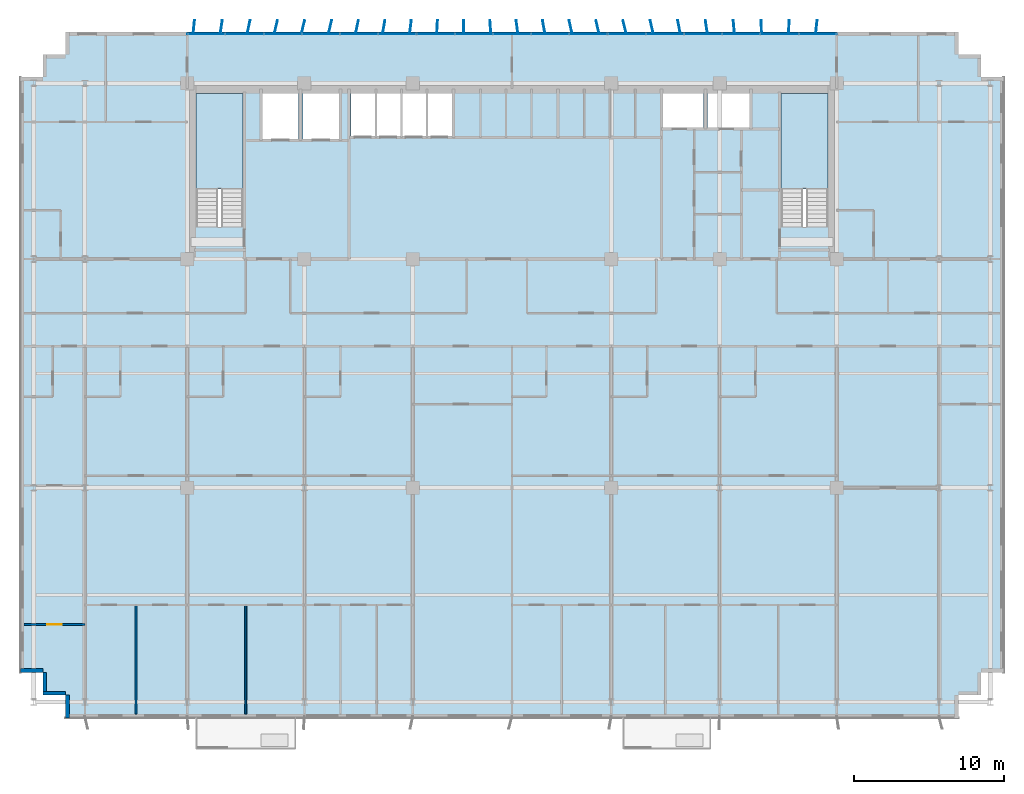
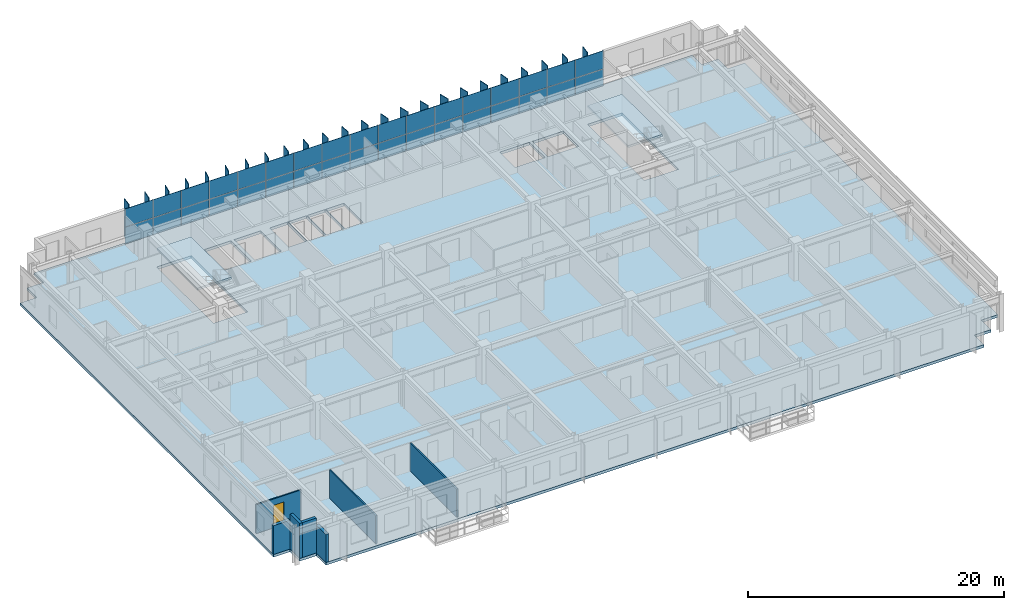
# One storey, part 14 of 24: 58 plates, 7 walls, 3 slabs, 1 door, 1 opening, 3 elements without a shape of their own.
"""IFC4 building model written with IfcOpenShell, lengths in metres."""

from ifc_helpers import new_model, si_unit, direction, frame, frame_2d, origin, origin_2d, place, context, subcontext, project, spatial, polyline, rectangle, outline, extrude, source, transform, mapped, material, layer, layer_set, type_object, element, fill, aggregate, save


model = new_model("IFC4")

# Units and contexts
model_context = context("Model", 3, precision=1e-05, world=origin(), true_north=direction((0.0, 1.0)))
body_context = subcontext(model_context, "Body", "Model", "MODEL_VIEW")
ifc_project = project(units=[si_unit("LENGTHUNIT", "METRE"), si_unit("AREAUNIT", "SQUARE_METRE"), si_unit("VOLUMEUNIT", "CUBIC_METRE"), si_unit("PLANEANGLEUNIT", "RADIAN"), si_unit("MASSUNIT", "GRAM", prefix="KILO")], contexts=[model_context])

# Site, building, storey
site_placement = place(None, origin())
site = spatial("IfcSite", under=ifc_project, at=site_placement, CompositionType="ELEMENT")
building_placement = place(site_placement, origin())
building = spatial("IfcBuilding", under=site, at=building_placement, Name="Trelvane Seafront Commons", CompositionType="ELEMENT")
storey_placement = place(building_placement, frame((0.0, 0.0, 30.699951171875)))
storey = spatial("IfcBuildingStorey", under=building, at=storey_placement, Name="L07", CompositionType="ELEMENT", Elevation=30.699951171875)

# Stair, slab
ifc_material_1 = material(Name="Concrete C40/50", Category="concrete")
stair_type_1 = type_object("IfcStairType", Name="ARCH-STR-ST-1-R20-180", PredefinedType="HALF_TURN_STAIR", material=ifc_material_1)
stair_1_placement = place(storey_placement, origin())
stair_1 = element("IfcStair", 1, at=stair_1_placement, inside=storey, type_object=stair_type_1, Name="L07 West Protected Firefighting Exit Stair ST-1", PredefinedType="HALF_TURN_STAIR")
ifc_layer_1 = layer(ifc_material_1, 0.199951171875, Name="ARCH-LND-200")
ifc_layer_set_1 = layer_set([ifc_layer_1], Name="Concrete C40/50")
slab_type_1 = type_object("IfcSlabType", Name="ARCH-LND-200", PredefinedType="LANDING", material=ifc_layer_set_1)
slab_1_placement = place(storey_placement, frame((0.0, 0.0, 1.60009765625)))
slab_1 = element("IfcSlab", 2, at=slab_1_placement, type_object=slab_type_1, Name="ST-1 landing 1", PredefinedType="LANDING", context=body_context, shape_type="SweptSolid", body=[
    extrude(outline(polyline([(19.300048828125, 38.070068359375), (19.300048828125, 44.39990234375), (16.199951171875, 44.39990234375), (16.199951171875, 38.070068359375), (19.300048828125, 38.070068359375)])), origin(), (0.0, 0.0, 1.0), 0.199951171875),
])
aggregate(stair_1, [slab_1])

stair_type_2 = type_object("IfcStairType", Name="ARCH-STR-ST-2-R20-180", PredefinedType="HALF_TURN_STAIR", material=ifc_material_1)
stair_2_placement = place(storey_placement, origin())
stair_2 = element("IfcStair", 3, at=stair_2_placement, inside=storey, type_object=stair_type_2, Name="L07 East Protected Firefighting Exit Stair ST-2", PredefinedType="HALF_TURN_STAIR")
slab_2_placement = place(storey_placement, frame((0.0, 0.0, 1.60009765625)))
slab_2 = element("IfcSlab", 4, at=slab_2_placement, type_object=slab_type_1, Name="ST-2 landing 1", PredefinedType="LANDING", context=body_context, shape_type="SweptSolid", body=[
    extrude(outline(polyline([(58.199951171875, 38.070068359375), (58.199951171875, 44.39990234375), (55.10009765625, 44.39990234375), (55.10009765625, 38.070068359375), (58.199951171875, 38.070068359375)])), origin(), (0.0, 0.0, 1.0), 0.199951171875),
])
aggregate(stair_2, [slab_2])

# Slab
ifc_material_2 = material(Name="Concrete C50/60", Category="concrete")
ifc_layer_2 = layer(ifc_material_2, 0.260009765625, Name="STR-SLB-Z1-260")
ifc_layer_set_2 = layer_set([ifc_layer_2], Name="Concrete C50/60")
slab_type_2 = type_object("IfcSlabType", Name="STR-SLB-Z1-260", PredefinedType="FLOOR", material=ifc_layer_set_2)
slab_3_placement = place(storey_placement, frame((0.0, 0.0, -0.260009765625)))
element("IfcSlab", 5, at=slab_3_placement, inside=storey, type_object=slab_type_2, Name="L07 Structural Floor Slab", PredefinedType="FLOOR", context=body_context, shape_type="SweptSolid", body=[
    extrude(outline(polyline([(7.5, 2.89990234375), (66.89990234375, 2.89990234375), (66.89990234375, 4.39990234375), (68.39990234375, 4.39990234375), (68.39990234375, 5.89990234375), (69.89990234375, 5.89990234375), (69.89990234375, 45.5), (68.39990234375, 45.5), (68.39990234375, 47.0), (66.89990234375, 47.0), (66.89990234375, 48.5), (7.5, 48.5), (7.5, 47.0), (6.0, 47.0), (6.0, 45.5), (4.5, 45.5), (4.5, 5.89990234375), (6.0, 5.89990234375), (6.0, 4.39990234375), (7.5, 4.39990234375), (7.5, 2.89990234375)]), holes=[polyline([(19.300048828125, 35.550048828125), (16.199951171875, 35.550048828125), (16.199951171875, 44.39990234375), (19.300048828125, 44.39990234375), (19.300048828125, 35.550048828125)]), polyline([(58.199951171875, 35.550048828125), (55.10009765625, 35.550048828125), (55.10009765625, 44.39990234375), (58.199951171875, 44.39990234375), (58.199951171875, 35.550048828125)]), polyline([(23.0, 41.39990234375), (20.60009765625, 41.39990234375), (20.60009765625, 44.60009765625), (23.0, 44.60009765625), (23.0, 41.39990234375)]), polyline([(23.300048828125, 41.39990234375), (23.300048828125, 44.60009765625), (25.699951171875, 44.60009765625), (25.699951171875, 41.39990234375), (23.300048828125, 41.39990234375)]), polyline([(26.5, 41.60009765625), (26.5, 44.60009765625), (28.1201171875, 44.60009765625), (28.1201171875, 41.60009765625), (26.5, 41.60009765625)]), polyline([(29.820068359375, 41.60009765625), (28.199951171875, 41.60009765625), (28.199951171875, 44.60009765625), (29.820068359375, 44.60009765625), (29.820068359375, 41.60009765625)]), polyline([(31.52001953125, 41.60009765625), (29.89990234375, 41.60009765625), (29.89990234375, 44.60009765625), (31.52001953125, 44.60009765625), (31.52001953125, 41.60009765625)]), polyline([(33.219970703125, 41.60009765625), (31.60009765625, 41.60009765625), (31.60009765625, 44.60009765625), (33.219970703125, 44.60009765625), (33.219970703125, 41.60009765625)]), polyline([(47.25, 42.14990234375), (47.25, 44.550048828125), (49.949951171875, 44.550048828125), (49.949951171875, 42.14990234375), (47.25, 42.14990234375)]), polyline([(50.199951171875, 42.14990234375), (50.199951171875, 44.550048828125), (53.0, 44.550048828125), (53.0, 42.14990234375), (50.199951171875, 42.14990234375)])]), origin(), (0.0, 0.0, 1.0), 0.260009765625),
])

# Curtain wall, plates
ifc_material_3 = material(Name="Anodised pale-silver aluminium", Category="aluminium")
curtain_wall_type = type_object("IfcCurtainWallType", Name="ARCH-CW2-LOWTOWER", PredefinedType="NOTDEFINED", material=ifc_material_3)
curtain_wall_placement = place(storey_placement, origin())
curtain_wall = element("IfcCurtainWall", 6, at=curtain_wall_placement, inside=storey, type_object=curtain_wall_type, Name="CW-L07-0031", PredefinedType="NOTDEFINED")
ifc_material_4 = material(Name="Low-E coastal double glazing", Category="glass")
ifc_layer_3 = layer(ifc_material_4, 0.033935546875, Name="ARCH-CW-GLAZ-34")
ifc_layer_set_3 = layer_set([ifc_layer_3], Name="Low-E coastal double glazing")
plate_type_1 = type_object("IfcPlateType", Name="ARCH-CW-GLAZ-34", PredefinedType="CURTAIN_PANEL", material=ifc_layer_set_3)
shared_shape_1 = source(origin(), body_context, "Body", "SweptSolid", [
    extrude(rectangle(XDim=2.51708984375, YDim=0.031982421875, at=origin_2d()), origin(), (0.0, 0.0, 1.0), 1.5849609375),
])
plate_1_placement = place(storey_placement, frame((16.87060546875, 48.3701171875, 0.0), z_axis=(0.0, 0.0, 1.0), x_axis=(1.0, 0.0, 0.0)))
plate_1 = element("IfcPlate", 7, at=plate_1_placement, type_object=plate_type_1, Name="CW-L07-0031-P00-1", PredefinedType="CURTAIN_PANEL", context=body_context, shape_type="MappedRepresentation", body=[
    mapped(shared_shape_1, transform((0.0, 0.0, 0.0), x_axis=(1.0, 0.0, 0.0), y_axis=(0.0, 1.0, 0.0), z_axis=(0.0, 0.0, 1.0), scale=1.0)),
])
plate_2_placement = place(storey_placement, frame((19.411865234375, 48.3701171875, 0.0), z_axis=(0.0, 0.0, 1.0), x_axis=(1.0, 0.0, 0.0)))
plate_2 = element("IfcPlate", 8, at=plate_2_placement, type_object=plate_type_1, Name="CW-L07-0031-P01-1", PredefinedType="CURTAIN_PANEL", context=body_context, shape_type="MappedRepresentation", body=[
    mapped(shared_shape_1, transform((0.0, 0.0, 0.0), x_axis=(1.0, 0.0, 0.0), y_axis=(0.0, 1.0, 0.0), z_axis=(0.0, 0.0, 1.0), scale=1.0)),
])
plate_3_placement = place(storey_placement, frame((21.952880859375, 48.3701171875, 0.0), z_axis=(0.0, 0.0, 1.0), x_axis=(1.0, 0.0, 0.0)))
plate_3 = element("IfcPlate", 9, at=plate_3_placement, type_object=plate_type_1, Name="CW-L07-0031-P02-1", PredefinedType="CURTAIN_PANEL", context=body_context, shape_type="MappedRepresentation", body=[
    mapped(shared_shape_1, transform((0.0, 0.0, 0.0), x_axis=(1.0, 0.0, 0.0), y_axis=(0.0, 1.0, 0.0), z_axis=(0.0, 0.0, 1.0), scale=1.0)),
])
plate_4_placement = place(storey_placement, frame((24.494140625, 48.3701171875, 0.0), z_axis=(0.0, 0.0, 1.0), x_axis=(1.0, 0.0, 0.0)))
plate_4 = element("IfcPlate", 10, at=plate_4_placement, type_object=plate_type_1, Name="CW-L07-0031-P03-1", PredefinedType="CURTAIN_PANEL", context=body_context, shape_type="MappedRepresentation", body=[
    mapped(shared_shape_1, transform((0.0, 0.0, 0.0), x_axis=(1.0, 0.0, 0.0), y_axis=(0.0, 1.0, 0.0), z_axis=(0.0, 0.0, 1.0), scale=1.0)),
])
plate_5_placement = place(storey_placement, frame((27.035400390625, 48.3701171875, 0.0), z_axis=(0.0, 0.0, 1.0), x_axis=(1.0, 0.0, 0.0)))
plate_5 = element("IfcPlate", 11, at=plate_5_placement, type_object=plate_type_1, Name="CW-L07-0031-P04-1", PredefinedType="CURTAIN_PANEL", context=body_context, shape_type="MappedRepresentation", body=[
    mapped(shared_shape_1, transform((0.0, 0.0, 0.0), x_axis=(1.0, 0.0, 0.0), y_axis=(0.0, 1.0, 0.0), z_axis=(0.0, 0.0, 1.0), scale=1.0)),
])
plate_6_placement = place(storey_placement, frame((29.576416015625, 48.3701171875, 0.0), z_axis=(0.0, 0.0, 1.0), x_axis=(1.0, 0.0, 0.0)))
plate_6 = element("IfcPlate", 12, at=plate_6_placement, type_object=plate_type_1, Name="CW-L07-0031-P05-1", PredefinedType="CURTAIN_PANEL", context=body_context, shape_type="MappedRepresentation", body=[
    mapped(shared_shape_1, transform((0.0, 0.0, 0.0), x_axis=(1.0, 0.0, 0.0), y_axis=(0.0, 1.0, 0.0), z_axis=(0.0, 0.0, 1.0), scale=1.0)),
])
plate_7_placement = place(storey_placement, frame((32.11767578125, 48.3701171875, 0.0), z_axis=(0.0, 0.0, 1.0), x_axis=(1.0, 0.0, 0.0)))
plate_7 = element("IfcPlate", 13, at=plate_7_placement, type_object=plate_type_1, Name="CW-L07-0031-P06-1", PredefinedType="CURTAIN_PANEL", context=body_context, shape_type="MappedRepresentation", body=[
    mapped(shared_shape_1, transform((0.0, 0.0, 0.0), x_axis=(1.0, 0.0, 0.0), y_axis=(0.0, 1.0, 0.0), z_axis=(0.0, 0.0, 1.0), scale=1.0)),
])
plate_8_placement = place(storey_placement, frame((34.65869140625, 48.3701171875, 0.0), z_axis=(0.0, 0.0, 1.0), x_axis=(1.0, 0.0, 0.0)))
plate_8 = element("IfcPlate", 14, at=plate_8_placement, type_object=plate_type_1, Name="CW-L07-0031-P07-1", PredefinedType="CURTAIN_PANEL", context=body_context, shape_type="MappedRepresentation", body=[
    mapped(shared_shape_1, transform((0.0, 0.0, 0.0), x_axis=(1.0, 0.0, 0.0), y_axis=(0.0, 1.0, 0.0), z_axis=(0.0, 0.0, 1.0), scale=1.0)),
])
plate_9_placement = place(storey_placement, frame((37.199951171875, 48.3701171875, 0.0), z_axis=(0.0, 0.0, 1.0), x_axis=(1.0, 0.0, 0.0)))
plate_9 = element("IfcPlate", 15, at=plate_9_placement, type_object=plate_type_1, Name="CW-L07-0031-P08-1", PredefinedType="CURTAIN_PANEL", context=body_context, shape_type="MappedRepresentation", body=[
    mapped(shared_shape_1, transform((0.0, 0.0, 0.0), x_axis=(1.0, 0.0, 0.0), y_axis=(0.0, 1.0, 0.0), z_axis=(0.0, 0.0, 1.0), scale=1.0)),
])
plate_10_placement = place(storey_placement, frame((39.7412109375, 48.3701171875, 0.0), z_axis=(0.0, 0.0, 1.0), x_axis=(1.0, 0.0, 0.0)))
plate_10 = element("IfcPlate", 16, at=plate_10_placement, type_object=plate_type_1, Name="CW-L07-0031-P09-1", PredefinedType="CURTAIN_PANEL", context=body_context, shape_type="MappedRepresentation", body=[
    mapped(shared_shape_1, transform((0.0, 0.0, 0.0), x_axis=(1.0, 0.0, 0.0), y_axis=(0.0, 1.0, 0.0), z_axis=(0.0, 0.0, 1.0), scale=1.0)),
])
plate_11_placement = place(storey_placement, frame((42.282470703125, 48.3701171875, 0.0), z_axis=(0.0, 0.0, 1.0), x_axis=(1.0, 0.0, 0.0)))
plate_11 = element("IfcPlate", 17, at=plate_11_placement, type_object=plate_type_1, Name="CW-L07-0031-P10-1", PredefinedType="CURTAIN_PANEL", context=body_context, shape_type="MappedRepresentation", body=[
    mapped(shared_shape_1, transform((0.0, 0.0, 0.0), x_axis=(1.0, 0.0, 0.0), y_axis=(0.0, 1.0, 0.0), z_axis=(0.0, 0.0, 1.0), scale=1.0)),
])
plate_12_placement = place(storey_placement, frame((44.823486328125, 48.3701171875, 0.0), z_axis=(0.0, 0.0, 1.0), x_axis=(1.0, 0.0, 0.0)))
plate_12 = element("IfcPlate", 18, at=plate_12_placement, type_object=plate_type_1, Name="CW-L07-0031-P11-1", PredefinedType="CURTAIN_PANEL", context=body_context, shape_type="MappedRepresentation", body=[
    mapped(shared_shape_1, transform((0.0, 0.0, 0.0), x_axis=(1.0, 0.0, 0.0), y_axis=(0.0, 1.0, 0.0), z_axis=(0.0, 0.0, 1.0), scale=1.0)),
])
plate_13_placement = place(storey_placement, frame((47.36474609375, 48.3701171875, 0.0), z_axis=(0.0, 0.0, 1.0), x_axis=(1.0, 0.0, 0.0)))
plate_13 = element("IfcPlate", 19, at=plate_13_placement, type_object=plate_type_1, Name="CW-L07-0031-P12-1", PredefinedType="CURTAIN_PANEL", context=body_context, shape_type="MappedRepresentation", body=[
    mapped(shared_shape_1, transform((0.0, 0.0, 0.0), x_axis=(1.0, 0.0, 0.0), y_axis=(0.0, 1.0, 0.0), z_axis=(0.0, 0.0, 1.0), scale=1.0)),
])
plate_14_placement = place(storey_placement, frame((49.906005859375, 48.3701171875, 0.0), z_axis=(0.0, 0.0, 1.0), x_axis=(1.0, 0.0, 0.0)))
plate_14 = element("IfcPlate", 20, at=plate_14_placement, type_object=plate_type_1, Name="CW-L07-0031-P13-1", PredefinedType="CURTAIN_PANEL", context=body_context, shape_type="MappedRepresentation", body=[
    mapped(shared_shape_1, transform((0.0, 0.0, 0.0), x_axis=(1.0, 0.0, 0.0), y_axis=(0.0, 1.0, 0.0), z_axis=(0.0, 0.0, 1.0), scale=1.0)),
])
plate_15_placement = place(storey_placement, frame((52.447021484375, 48.3701171875, 0.0), z_axis=(0.0, 0.0, 1.0), x_axis=(1.0, 0.0, 0.0)))
plate_15 = element("IfcPlate", 21, at=plate_15_placement, type_object=plate_type_1, Name="CW-L07-0031-P14-1", PredefinedType="CURTAIN_PANEL", context=body_context, shape_type="MappedRepresentation", body=[
    mapped(shared_shape_1, transform((0.0, 0.0, 0.0), x_axis=(1.0, 0.0, 0.0), y_axis=(0.0, 1.0, 0.0), z_axis=(0.0, 0.0, 1.0), scale=1.0)),
])
plate_16_placement = place(storey_placement, frame((54.98828125, 48.3701171875, 0.0), z_axis=(0.0, 0.0, 1.0), x_axis=(1.0, 0.0, 0.0)))
plate_16 = element("IfcPlate", 22, at=plate_16_placement, type_object=plate_type_1, Name="CW-L07-0031-P15-1", PredefinedType="CURTAIN_PANEL", context=body_context, shape_type="MappedRepresentation", body=[
    mapped(shared_shape_1, transform((0.0, 0.0, 0.0), x_axis=(1.0, 0.0, 0.0), y_axis=(0.0, 1.0, 0.0), z_axis=(0.0, 0.0, 1.0), scale=1.0)),
])
plate_17_placement = place(storey_placement, frame((57.529296875, 48.3701171875, 0.0), z_axis=(0.0, 0.0, 1.0), x_axis=(1.0, 0.0, 0.0)))
plate_17 = element("IfcPlate", 23, at=plate_17_placement, type_object=plate_type_1, Name="CW-L07-0031-P16-1", PredefinedType="CURTAIN_PANEL", context=body_context, shape_type="MappedRepresentation", body=[
    mapped(shared_shape_1, transform((0.0, 0.0, 0.0), x_axis=(1.0, 0.0, 0.0), y_axis=(0.0, 1.0, 0.0), z_axis=(0.0, 0.0, 1.0), scale=1.0)),
])
shared_shape_2 = source(origin(), body_context, "Body", "SweptSolid", [
    extrude(rectangle(XDim=2.51708984375, YDim=0.031982421875, at=origin_2d()), origin(), (0.0, 0.0, 1.0), 1.718994140625),
])
plate_18_placement = place(storey_placement, frame((16.87060546875, 48.3701171875, 1.62109375), z_axis=(0.0, 0.0, 1.0), x_axis=(1.0, 0.0, 0.0)))
plate_18 = element("IfcPlate", 24, at=plate_18_placement, type_object=plate_type_1, Name="CW-L07-0031-P00-2", PredefinedType="CURTAIN_PANEL", context=body_context, shape_type="MappedRepresentation", body=[
    mapped(shared_shape_2, transform((0.0, 0.0, 0.0), x_axis=(1.0, 0.0, 0.0), y_axis=(0.0, 1.0, 0.0), z_axis=(0.0, 0.0, 1.0), scale=1.0)),
])
plate_19_placement = place(storey_placement, frame((19.411865234375, 48.3701171875, 1.62109375), z_axis=(0.0, 0.0, 1.0), x_axis=(1.0, 0.0, 0.0)))
plate_19 = element("IfcPlate", 25, at=plate_19_placement, type_object=plate_type_1, Name="CW-L07-0031-P01-2", PredefinedType="CURTAIN_PANEL", context=body_context, shape_type="MappedRepresentation", body=[
    mapped(shared_shape_2, transform((0.0, 0.0, 0.0), x_axis=(1.0, 0.0, 0.0), y_axis=(0.0, 1.0, 0.0), z_axis=(0.0, 0.0, 1.0), scale=1.0)),
])
plate_20_placement = place(storey_placement, frame((21.952880859375, 48.3701171875, 1.62109375), z_axis=(0.0, 0.0, 1.0), x_axis=(1.0, 0.0, 0.0)))
plate_20 = element("IfcPlate", 26, at=plate_20_placement, type_object=plate_type_1, Name="CW-L07-0031-P02-2", PredefinedType="CURTAIN_PANEL", context=body_context, shape_type="MappedRepresentation", body=[
    mapped(shared_shape_2, transform((0.0, 0.0, 0.0), x_axis=(1.0, 0.0, 0.0), y_axis=(0.0, 1.0, 0.0), z_axis=(0.0, 0.0, 1.0), scale=1.0)),
])
plate_21_placement = place(storey_placement, frame((24.494140625, 48.3701171875, 1.62109375), z_axis=(0.0, 0.0, 1.0), x_axis=(1.0, 0.0, 0.0)))
plate_21 = element("IfcPlate", 27, at=plate_21_placement, type_object=plate_type_1, Name="CW-L07-0031-P03-2", PredefinedType="CURTAIN_PANEL", context=body_context, shape_type="MappedRepresentation", body=[
    mapped(shared_shape_2, transform((0.0, 0.0, 0.0), x_axis=(1.0, 0.0, 0.0), y_axis=(0.0, 1.0, 0.0), z_axis=(0.0, 0.0, 1.0), scale=1.0)),
])
plate_22_placement = place(storey_placement, frame((27.035400390625, 48.3701171875, 1.62109375), z_axis=(0.0, 0.0, 1.0), x_axis=(1.0, 0.0, 0.0)))
plate_22 = element("IfcPlate", 28, at=plate_22_placement, type_object=plate_type_1, Name="CW-L07-0031-P04-2", PredefinedType="CURTAIN_PANEL", context=body_context, shape_type="MappedRepresentation", body=[
    mapped(shared_shape_2, transform((0.0, 0.0, 0.0), x_axis=(1.0, 0.0, 0.0), y_axis=(0.0, 1.0, 0.0), z_axis=(0.0, 0.0, 1.0), scale=1.0)),
])
plate_23_placement = place(storey_placement, frame((29.576416015625, 48.3701171875, 1.62109375), z_axis=(0.0, 0.0, 1.0), x_axis=(1.0, 0.0, 0.0)))
plate_23 = element("IfcPlate", 29, at=plate_23_placement, type_object=plate_type_1, Name="CW-L07-0031-P05-2", PredefinedType="CURTAIN_PANEL", context=body_context, shape_type="MappedRepresentation", body=[
    mapped(shared_shape_2, transform((0.0, 0.0, 0.0), x_axis=(1.0, 0.0, 0.0), y_axis=(0.0, 1.0, 0.0), z_axis=(0.0, 0.0, 1.0), scale=1.0)),
])
plate_24_placement = place(storey_placement, frame((32.11767578125, 48.3701171875, 1.62109375), z_axis=(0.0, 0.0, 1.0), x_axis=(1.0, 0.0, 0.0)))
plate_24 = element("IfcPlate", 30, at=plate_24_placement, type_object=plate_type_1, Name="CW-L07-0031-P06-2", PredefinedType="CURTAIN_PANEL", context=body_context, shape_type="MappedRepresentation", body=[
    mapped(shared_shape_2, transform((0.0, 0.0, 0.0), x_axis=(1.0, 0.0, 0.0), y_axis=(0.0, 1.0, 0.0), z_axis=(0.0, 0.0, 1.0), scale=1.0)),
])
plate_25_placement = place(storey_placement, frame((34.65869140625, 48.3701171875, 1.62109375), z_axis=(0.0, 0.0, 1.0), x_axis=(1.0, 0.0, 0.0)))
plate_25 = element("IfcPlate", 31, at=plate_25_placement, type_object=plate_type_1, Name="CW-L07-0031-P07-2", PredefinedType="CURTAIN_PANEL", context=body_context, shape_type="MappedRepresentation", body=[
    mapped(shared_shape_2, transform((0.0, 0.0, 0.0), x_axis=(1.0, 0.0, 0.0), y_axis=(0.0, 1.0, 0.0), z_axis=(0.0, 0.0, 1.0), scale=1.0)),
])
plate_26_placement = place(storey_placement, frame((37.199951171875, 48.3701171875, 1.62109375), z_axis=(0.0, 0.0, 1.0), x_axis=(1.0, 0.0, 0.0)))
plate_26 = element("IfcPlate", 32, at=plate_26_placement, type_object=plate_type_1, Name="CW-L07-0031-P08-2", PredefinedType="CURTAIN_PANEL", context=body_context, shape_type="MappedRepresentation", body=[
    mapped(shared_shape_2, transform((0.0, 0.0, 0.0), x_axis=(1.0, 0.0, 0.0), y_axis=(0.0, 1.0, 0.0), z_axis=(0.0, 0.0, 1.0), scale=1.0)),
])
plate_27_placement = place(storey_placement, frame((39.7412109375, 48.3701171875, 1.62109375), z_axis=(0.0, 0.0, 1.0), x_axis=(1.0, 0.0, 0.0)))
plate_27 = element("IfcPlate", 33, at=plate_27_placement, type_object=plate_type_1, Name="CW-L07-0031-P09-2", PredefinedType="CURTAIN_PANEL", context=body_context, shape_type="MappedRepresentation", body=[
    mapped(shared_shape_2, transform((0.0, 0.0, 0.0), x_axis=(1.0, 0.0, 0.0), y_axis=(0.0, 1.0, 0.0), z_axis=(0.0, 0.0, 1.0), scale=1.0)),
])
plate_28_placement = place(storey_placement, frame((42.282470703125, 48.3701171875, 1.62109375), z_axis=(0.0, 0.0, 1.0), x_axis=(1.0, 0.0, 0.0)))
plate_28 = element("IfcPlate", 34, at=plate_28_placement, type_object=plate_type_1, Name="CW-L07-0031-P10-2", PredefinedType="CURTAIN_PANEL", context=body_context, shape_type="MappedRepresentation", body=[
    mapped(shared_shape_2, transform((0.0, 0.0, 0.0), x_axis=(1.0, 0.0, 0.0), y_axis=(0.0, 1.0, 0.0), z_axis=(0.0, 0.0, 1.0), scale=1.0)),
])
plate_29_placement = place(storey_placement, frame((44.823486328125, 48.3701171875, 1.62109375), z_axis=(0.0, 0.0, 1.0), x_axis=(1.0, 0.0, 0.0)))
plate_29 = element("IfcPlate", 35, at=plate_29_placement, type_object=plate_type_1, Name="CW-L07-0031-P11-2", PredefinedType="CURTAIN_PANEL", context=body_context, shape_type="MappedRepresentation", body=[
    mapped(shared_shape_2, transform((0.0, 0.0, 0.0), x_axis=(1.0, 0.0, 0.0), y_axis=(0.0, 1.0, 0.0), z_axis=(0.0, 0.0, 1.0), scale=1.0)),
])
plate_30_placement = place(storey_placement, frame((47.36474609375, 48.3701171875, 1.62109375), z_axis=(0.0, 0.0, 1.0), x_axis=(1.0, 0.0, 0.0)))
plate_30 = element("IfcPlate", 36, at=plate_30_placement, type_object=plate_type_1, Name="CW-L07-0031-P12-2", PredefinedType="CURTAIN_PANEL", context=body_context, shape_type="MappedRepresentation", body=[
    mapped(shared_shape_2, transform((0.0, 0.0, 0.0), x_axis=(1.0, 0.0, 0.0), y_axis=(0.0, 1.0, 0.0), z_axis=(0.0, 0.0, 1.0), scale=1.0)),
])
plate_31_placement = place(storey_placement, frame((49.906005859375, 48.3701171875, 1.62109375), z_axis=(0.0, 0.0, 1.0), x_axis=(1.0, 0.0, 0.0)))
plate_31 = element("IfcPlate", 37, at=plate_31_placement, type_object=plate_type_1, Name="CW-L07-0031-P13-2", PredefinedType="CURTAIN_PANEL", context=body_context, shape_type="MappedRepresentation", body=[
    mapped(shared_shape_2, transform((0.0, 0.0, 0.0), x_axis=(1.0, 0.0, 0.0), y_axis=(0.0, 1.0, 0.0), z_axis=(0.0, 0.0, 1.0), scale=1.0)),
])
plate_32_placement = place(storey_placement, frame((52.447021484375, 48.3701171875, 1.62109375), z_axis=(0.0, 0.0, 1.0), x_axis=(1.0, 0.0, 0.0)))
plate_32 = element("IfcPlate", 38, at=plate_32_placement, type_object=plate_type_1, Name="CW-L07-0031-P14-2", PredefinedType="CURTAIN_PANEL", context=body_context, shape_type="MappedRepresentation", body=[
    mapped(shared_shape_2, transform((0.0, 0.0, 0.0), x_axis=(1.0, 0.0, 0.0), y_axis=(0.0, 1.0, 0.0), z_axis=(0.0, 0.0, 1.0), scale=1.0)),
])
plate_33_placement = place(storey_placement, frame((54.98828125, 48.3701171875, 1.62109375), z_axis=(0.0, 0.0, 1.0), x_axis=(1.0, 0.0, 0.0)))
plate_33 = element("IfcPlate", 39, at=plate_33_placement, type_object=plate_type_1, Name="CW-L07-0031-P15-2", PredefinedType="CURTAIN_PANEL", context=body_context, shape_type="MappedRepresentation", body=[
    mapped(shared_shape_2, transform((0.0, 0.0, 0.0), x_axis=(1.0, 0.0, 0.0), y_axis=(0.0, 1.0, 0.0), z_axis=(0.0, 0.0, 1.0), scale=1.0)),
])
plate_34_placement = place(storey_placement, frame((57.529296875, 48.3701171875, 1.62109375), z_axis=(0.0, 0.0, 1.0), x_axis=(1.0, 0.0, 0.0)))
plate_34 = element("IfcPlate", 40, at=plate_34_placement, type_object=plate_type_1, Name="CW-L07-0031-P16-2", PredefinedType="CURTAIN_PANEL", context=body_context, shape_type="MappedRepresentation", body=[
    mapped(shared_shape_2, transform((0.0, 0.0, 0.0), x_axis=(1.0, 0.0, 0.0), y_axis=(0.0, 1.0, 0.0), z_axis=(0.0, 0.0, 1.0), scale=1.0)),
])
aggregate(curtain_wall, [plate_1, plate_18, plate_2, plate_19, plate_3, plate_20, plate_4, plate_21, plate_5, plate_22, plate_6, plate_23, plate_7, plate_24, plate_8, plate_25, plate_9, plate_26, plate_10, plate_27, plate_11, plate_28, plate_12, plate_29, plate_13, plate_30, plate_14, plate_31, plate_15, plate_32, plate_16, plate_33, plate_17, plate_34])

# Plates
ifc_layer_4 = layer(ifc_material_3, 0.06005859375, Name="ARCH-PLATE-FIN900")
ifc_layer_set_4 = layer_set([ifc_layer_4], Name="Anodised pale-silver aluminium")
plate_type_2 = type_object("IfcPlateType", Name="ARCH-PLATE-FIN900", PredefinedType="USERDEFINED", material=ifc_layer_set_4)
shared_shape_3 = source(origin(), body_context, "Body", "SweptSolid", [
    extrude(rectangle(XDim=0.89990234375, YDim=0.06005859375, at=origin_2d()), origin(), (0.0, 0.0, 1.0), 3.639892578125),
])
for number, where, z_axis, x_axis, name in (
    (41, (16.046630859375, 48.847412109375, -0.02001953125), (0.0, 0.0, 1.0), (0.103893150839, 0.994588464245, 0.0), "FIN-L07-00067"),
    (42, (17.87158203125, 48.84423828125, -0.02001953125), (0.0, 0.0, 1.0), (0.15922473595, 0.987242363081, 0.0), "FIN-L07-00068"),
    (43, (19.691162109375, 48.8408203125, -0.02001953125), (0.0, 0.0, 1.0), (0.202329243444, 0.979317556897, 0.0), "FIN-L07-00069"),
    (44, (21.50390625, 48.837890625, -0.02001953125), (0.0, 0.0, 1.0), (0.230543976104, 0.973061907117, 0.0), "FIN-L07-00070"),
    (45, (23.308837890625, 48.836669921875, -0.02001953125), (0.0, 0.0, 1.0), (0.241777946669, 0.970331605434, 0.0), "FIN-L07-00071"),
    (46, (25.10595703125, 48.83740234375, -0.02001953125), (0.0, 0.0, 1.0), (0.23544405952, 0.971887902403, 0.0), "FIN-L07-00072"),
    (47, (26.8955078125, 48.83984375, -0.02001953125), (0.0, 0.0, 1.0), (0.211880889711, 0.977295497061, 0.0), "FIN-L07-00073"),
    (48, (28.677490234375, 48.84326171875, -0.02001953125), (0.0, 0.0, 1.0), (0.172554905346, 0.984999900833, 0.0), "FIN-L07-00074"),
    (49, (30.4541015625, 48.8466796875, -0.02001953125), (0.0, 0.0, 1.0), (0.120327432347, 0.992734259016, 0.0), "FIN-L07-00075"),
    (50, (32.226318359375, 48.84912109375, -0.02001953125), (0.0, 0.0, 1.0), (0.058780203696, 0.998270949018, 0.0), "FIN-L07-00076"),
    (51, (33.99658203125, 48.85009765625, -0.02001953125), (0.0, 0.0, 1.0), (-0.007333807774, 0.99997310727, 0.0), "FIN-L07-00077"),
    (52, (35.76708984375, 48.848876953125, -0.02001953125), (0.0, 0.0, 1.0), (-0.072890064247, 0.997339981418, 0.0), "FIN-L07-00078"),
    (53, (37.540283203125, 48.845947265625, -0.02001953125), (0.0, 0.0, 1.0), (-0.132782290849, 0.991145228126, 0.0), "FIN-L07-00079"),
    (54, (39.31787109375, 48.84228515625, -0.02001953125), (0.0, 0.0, 1.0), (-0.182551279143, 0.98319633364, 0.0), "FIN-L07-00080"),
    (55, (41.101806640625, 48.839111328125, -0.02001953125), (0.0, 0.0, 1.0), (-0.218436198487, 0.9758512321, 0.0), "FIN-L07-00081"),
    (56, (42.892578125, 48.8369140625, -0.02001953125), (0.0, 0.0, 1.0), (-0.238324973349, 0.97118546482, 0.0), "FIN-L07-00082"),
    (57, (44.691650390625, 48.836669921875, -0.02001953125), (0.0, 0.0, 1.0), (-0.240783707201, 0.970578799659, 0.0), "FIN-L07-00083"),
    (58, (46.49853515625, 48.83837890625, -0.02001953125), (0.0, 0.0, 1.0), (-0.225663544095, 0.974205299137, 0.0), "FIN-L07-00084"),
    (59, (48.312744140625, 48.84130859375, -0.02001953125), (0.0, 0.0, 1.0), (-0.193999789377, 0.981001570703, 0.0), "FIN-L07-00085"),
    (60, (50.13330078125, 48.84521484375, -0.02001953125), (0.0, 0.0, 1.0), (-0.147888813936, 0.989003993274, 0.0), "FIN-L07-00086"),
    (61, (51.959228515625, 48.84814453125, -0.02001953125), (0.0, 0.0, 1.0), (-0.090444858802, 0.995901464763, 0.0), "FIN-L07-00087"),
    (62, (53.788330078125, 48.849853515625, -0.02001953125), (0.0, 0.0, 1.0), (-0.025889066583, 0.999664821944, 0.0), "FIN-L07-00088"),
    (63, (55.618408203125, 48.849609375, -0.02001953125), (0.0, 0.0, 1.0), (0.040553818356, 0.999177355536, 0.0), "FIN-L07-00089"),
    (64, (57.44677734375, 48.847412109375, -0.02001953125), (0.0, 0.0, 1.0), (0.103893150839, 0.994588464245, 0.0), "FIN-L07-00090"),
):
    element("IfcPlate", number, at=place(storey_placement, frame(where, z_axis=z_axis, x_axis=x_axis)), inside=storey, type_object=plate_type_2, Name=name, ObjectType="FIN", PredefinedType="USERDEFINED", context=body_context, shape_type="MappedRepresentation", body=[
        mapped(shared_shape_3, transform((0.0, 0.0, 0.0), x_axis=(1.0, 0.0, 0.0), y_axis=(0.0, 1.0, 0.0), z_axis=(0.0, 0.0, 1.0), scale=1.0)),
    ])

# Walls
ifc_material_5 = material(Name="Precast concrete C40/50", Category="concrete")
ifc_layer_5 = layer(ifc_material_5, 0.260009765625, Name="ARCH-WALL-EXT260")
ifc_layer_set_5 = layer_set([ifc_layer_5], Name="Precast concrete C40/50")
wall_type_1 = type_object("IfcWallType", Name="ARCH-WALL-EXT260", PredefinedType="SOLIDWALL", material=ifc_layer_set_5)
for number, where, z_axis, x_axis, name in (
    (65, (7.5, 4.530029296875, 0.0), (0.0, 0.0, 1.0), (-1.0, 0.0, 0.0), "EW-L07-00089"),
    (66, (6.1298828125, 4.39990234375, 0.0), (0.0, 0.0, 1.0), (0.0, 1.0, 0.0), "EW-L07-00090"),
):
    element("IfcWall", number, at=place(storey_placement, frame(where, z_axis=z_axis, x_axis=x_axis)), inside=storey, type_object=wall_type_1, Name=name, PredefinedType="SOLIDWALL", context=body_context, shape_type="SweptSolid", body=[
        extrude(rectangle(XDim=1.5, YDim=0.260009765625, at=frame_2d((0.75, 0.0))), origin(), (0.0, 0.0, 1.0), 3.340087890625),
    ])
wall_1_placement = place(storey_placement, frame((6.0, 6.030029296875, 0.0), z_axis=(0.0, 0.0, 1.0), x_axis=(-1.0, 0.0, 0.0)))
element("IfcWall", 67, at=wall_1_placement, inside=storey, type_object=wall_type_1, Name="EW-L07-00091", PredefinedType="SOLIDWALL", context=body_context, shape_type="SweptSolid", body=[
    extrude(rectangle(XDim=1.5, YDim=0.260009765625, at=frame_2d((0.75, 0.0))), origin(), (0.0, 0.0, 1.0), 2.751953125),
])
wall_2_placement = place(storey_placement, frame((7.6298828125, 2.89990234375, 0.0), z_axis=(0.0, 0.0, 1.0), x_axis=(0.0, 1.0, 0.0)))
element("IfcWall", 68, at=wall_2_placement, inside=storey, type_object=wall_type_1, Name="EW-L07-00107", PredefinedType="SOLIDWALL", context=body_context, shape_type="SweptSolid", body=[
    extrude(rectangle(XDim=1.5, YDim=0.260009765625, at=frame_2d((0.75, 0.0))), origin(), (0.0, 0.0, 1.0), 2.68994140625),
])

# Wall, opening, door
ifc_material_6 = material(Name="Gypsum Drywall Acoustic Partition")
ifc_layer_6 = layer(ifc_material_6, 0.1201171875, Name="ARCH-WALL-PART120")
ifc_layer_set_6 = layer_set([ifc_layer_6], Name="Gypsum Drywall Acoustic Partition")
wall_type_2 = type_object("IfcWallType", Name="ARCH-WALL-PART120", PredefinedType="PARTITIONING", material=ifc_layer_set_6)
wall_3_placement = place(storey_placement, frame((4.760009765625, 9.10009765625, 0.0), z_axis=(0.0, 0.0, 1.0), x_axis=(1.0, 0.0, 0.0)))
wall_3 = element("IfcWall", 69, at=wall_3_placement, inside=storey, type_object=wall_type_2, Name="W-L07-U1-YM-1-078", PredefinedType="PARTITIONING", context=body_context, shape_type="SweptSolid", body=[
    extrude(rectangle(XDim=4.0400390625, YDim=0.1201171875, at=frame_2d((2.02001953125, 0.0))), origin(), (0.0, 0.0, 1.0), 2.751953125),
])
opening_placement = place(wall_3_placement, frame((1.544921875, 0.0, 0.0)))
opening = element("IfcOpeningElement", 70, at=opening_placement, cuts=wall_3, Name="Opening D-L07-38", PredefinedType="OPENING", context=body_context, shape_type="SweptSolid", body=[
    extrude(rectangle(XDim=0.949951171875, YDim=2.14990234375, at=frame_2d((0.47509765625, 1.074951171875))), frame((0.0, 0.070068359375, 0.0), z_axis=(0.0, -1.0, 0.0), x_axis=(1.0, 0.0, 0.0)), (0.0, 0.0, 1.0), 0.14013671875),
])
ifc_material_7 = material(Name="Acoustic timber door leaf", Category="wood")
door_type = type_object("IfcDoorType", Name="ARCH-DR-INT950", OperationType="NOTDEFINED", PredefinedType="DOOR", material=ifc_material_7)
shared_shape_4 = source(origin(), body_context, "Body", "SweptSolid", [
    extrude(rectangle(XDim=0.949951171875, YDim=2.14990234375, at=frame_2d((0.47509765625, 1.074951171875))), frame((0.0, 0.02490234375, 0.0), z_axis=(0.0, -1.0, 0.0), x_axis=(1.0, 0.0, 0.0)), (0.0, 0.0, 1.0), 0.050048828125),
])
door_placement = place(opening_placement, origin())
door = element("IfcDoor", 71, at=door_placement, inside=storey, type_object=door_type, Name="L07 Door 38", OperationType="SINGLE_SWING_RIGHT", OverallHeight=2.14990234375, OverallWidth=0.949951171875, PredefinedType="DOOR", context=body_context, shape_type="MappedRepresentation", body=[
    mapped(shared_shape_4, transform((0.0, 0.0, 0.0), x_axis=(1.0, 0.0, 0.0), y_axis=(0.0, 1.0, 0.0), z_axis=(0.0, 0.0, 1.0), scale=1.0)),
])
fill(opening, door)

# Walls
for number, where, z_axis, x_axis, name in (
    (72, (12.199951171875, 3.14501953125, 0.0), (0.0, 0.0, 1.0), (0.0, 1.0, 0.0), "W-L07-U2-BDV-1-085"),
    (73, (19.5, 3.14501953125, 0.0), (0.0, 0.0, 1.0), (0.0, 1.0, 0.0), "W-L07-U3-BDV-1-092"),
):
    element("IfcWall", number, at=place(storey_placement, frame(where, z_axis=z_axis, x_axis=x_axis)), inside=storey, type_object=wall_type_2, Name=name, PredefinedType="PARTITIONING", context=body_context, shape_type="SweptSolid", body=[
        extrude(rectangle(XDim=7.2548828125, YDim=0.1201171875, at=frame_2d((3.62744140625, 0.0))), origin(), (0.0, 0.0, 1.0), 2.68994140625),
    ])

save(model, "model.ifc")
